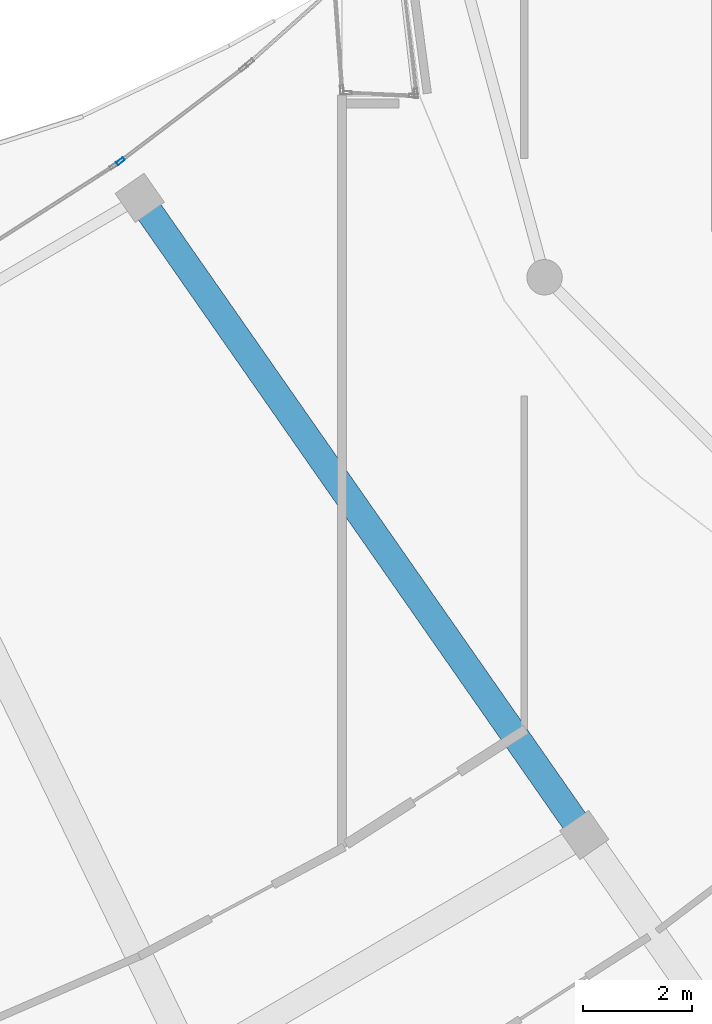
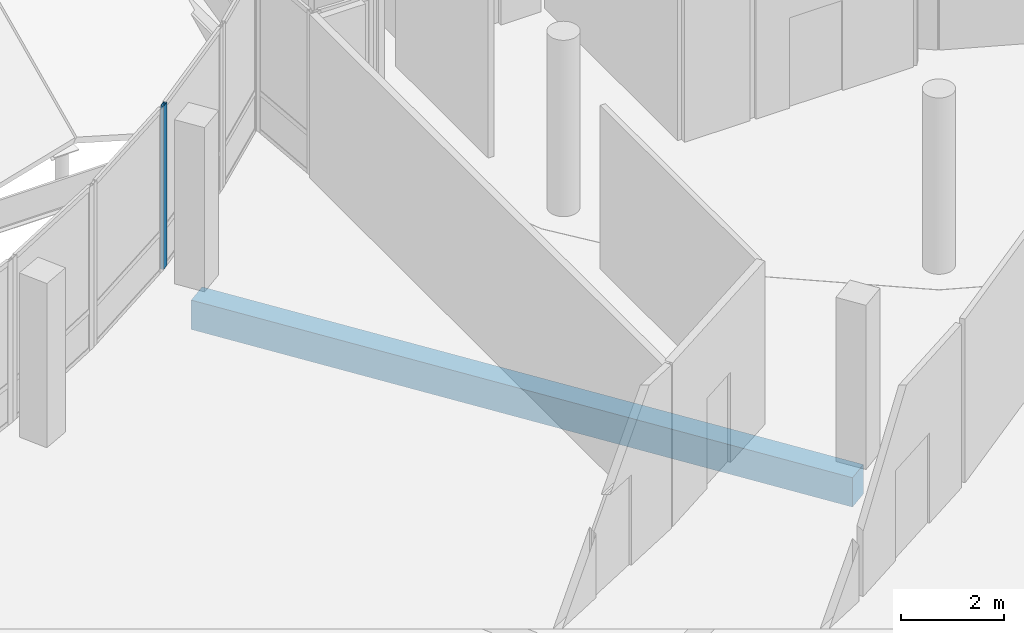
# One storey, part 55 of 184: 1 beam, 1 member, 1 element without a shape of its own.
"""IFC4 building model written with IfcOpenShell, lengths in metres."""

from ifc_helpers import new_model, si_unit, direction, frame, origin, origin_2d, place, context, subcontext, project, spatial, rectangle, hollow_rectangle, extrude, material, material_profile, profile_set, type_object, element, aggregate, save


model = new_model("IFC4")

# Units and contexts
model_context = context("Model", 3, precision=1e-05, world=origin(), true_north=direction((0.0, 1.0)))
body_context = subcontext(model_context, "Body", "Model", "MODEL_VIEW")
ifc_project = project(units=[si_unit("LENGTHUNIT", "METRE"), si_unit("AREAUNIT", "SQUARE_METRE"), si_unit("VOLUMEUNIT", "CUBIC_METRE"), si_unit("PLANEANGLEUNIT", "RADIAN"), si_unit("MASSUNIT", "GRAM", prefix="KILO")], contexts=[model_context])

# Site, building, storey
site_placement = place(None, origin())
site = spatial("IfcSite", under=ifc_project, at=site_placement, CompositionType="ELEMENT")
building_placement = place(site_placement, origin())
building = spatial("IfcBuilding", under=site, at=building_placement, Name="Selatvlak General Hospital", CompositionType="ELEMENT")
storey_placement = place(building_placement, frame((0.0, 0.0, 15.0)))
storey = spatial("IfcBuildingStorey", under=building, at=storey_placement, Name="L03", CompositionType="ELEMENT", Elevation=15.0)

# Beam
ifc_material_1 = material(Name="Concrete C40/50", Category="concrete")
ifc_material_profile_1 = material_profile(ifc_material_1, rectangle(XDim=0.5, YDim=0.699951171875, at=origin_2d()), Name="RC-BM 500x700")
ifc_profile_set_1 = profile_set([ifc_material_profile_1], Name="Concrete C40/50")
beam_type = type_object("IfcBeamType", Name="BM-G03", PredefinedType="BEAM", material=ifc_profile_set_1)
beam_placement = place(storey_placement, frame((77.886962890625, 48.131103515625, -0.68994140625), z_axis=(0.572196870903, -0.820116297198, 0.0), x_axis=(0.820116297198, 0.572196870903, 0.0)))
element("IfcBeam", 1, at=beam_placement, inside=storey, type_object=beam_type, Name="Beam BMR-L03-1471", PredefinedType="BEAM", context=body_context, shape_type="SweptSolid", body=[
    extrude(rectangle(XDim=0.5, YDim=0.699951171875, at=origin_2d()), origin(), (0.0, 0.0, 1.0), 14.25048828125),
])

# Curtain wall, member
ifc_material_2 = material(Name="Solar-control Low-E double glazing", Category="glass")
curtain_wall_type = type_object("IfcCurtainWallType", Name="CW-CW-02", PredefinedType="USERDEFINED", material=ifc_material_2)
curtain_wall_placement = place(storey_placement, origin())
curtain_wall = element("IfcCurtainWall", 2, at=curtain_wall_placement, inside=storey, type_object=curtain_wall_type, Name="Glazed facade curtain wall CW-L03-0458", ObjectType="UNITISED CURTAIN WALL", PredefinedType="USERDEFINED")
ifc_material_3 = material(Name="Dark anodised aluminium mullion", Category="aluminium")
ifc_material_profile_2 = material_profile(ifc_material_3, hollow_rectangle(XDim=0.06494140625, YDim=0.159912109375, WallThickness=0.00390625, at=origin_2d()), Name="AL-MUL 65x160x4")
ifc_profile_set_2 = profile_set([ifc_material_profile_2], Name="Dark anodised aluminium mullion")
member_type = type_object("IfcMemberType", Name="CWM-01", PredefinedType="MULLION", material=ifc_profile_set_2)
member_placement = place(storey_placement, frame((77.533935546875, 48.8037109375, 0.0), z_axis=(0.0, 0.0, 1.0), x_axis=(-0.604514782215, 0.796593922952, 0.0)))
member = element("IfcMember", 3, at=member_placement, type_object=member_type, Name="CW-02 mullion 1", PredefinedType="MULLION", context=body_context, shape_type="SweptSolid", body=[
    extrude(hollow_rectangle(XDim=0.06494140625, YDim=0.159912109375, WallThickness=0.00390625, at=origin_2d()), origin(), (0.0, 0.0, 1.0), 3.89501953125),
])
aggregate(curtain_wall, [member])

save(model, "model.ifc")
